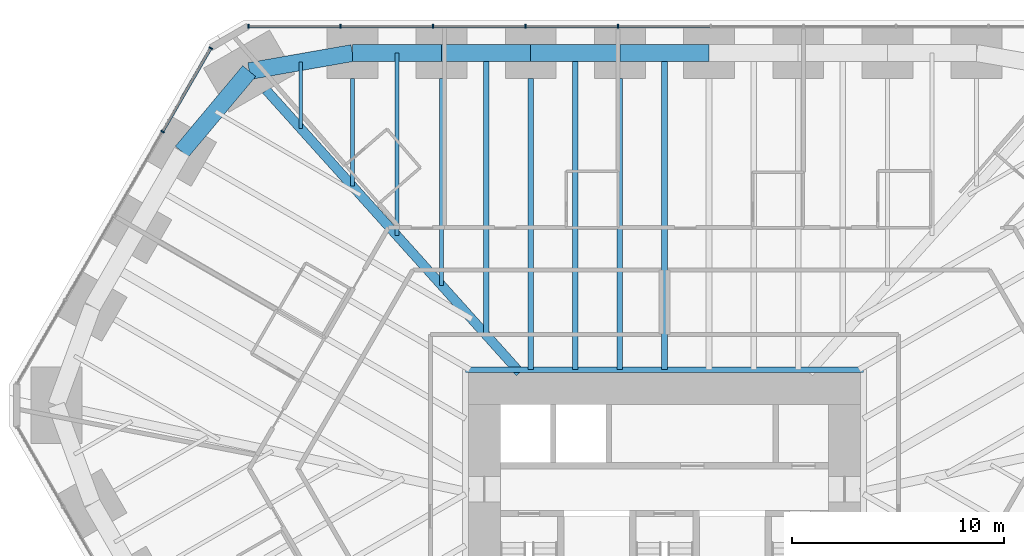
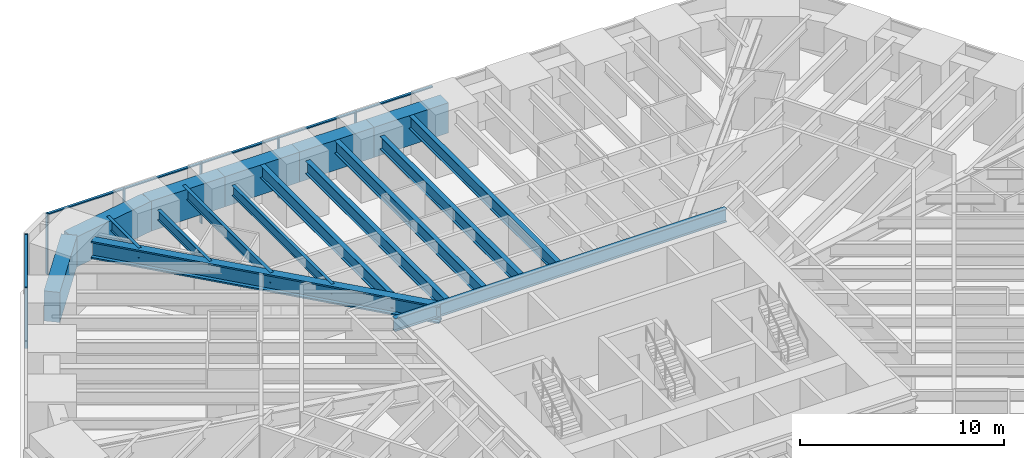
# One storey, part 8 of 17: 17 beams, 13 members, 2 elements without a shape of their own.
"""IFC4 building model written with IfcOpenShell, lengths in metres."""

from ifc_helpers import new_model, si_unit, direction, frame, origin, origin_2d, place, context, subcontext, project, spatial, rectangle, i_section, extrude, material, material_profile, profile_set, type_object, element, aggregate, save


model = new_model("IFC4")

# Units and contexts
model_context = context("Model", 3, precision=1e-05, world=origin(), true_north=direction((0.0, 1.0)))
body_context = subcontext(model_context, "Body", "Model", "MODEL_VIEW")
ifc_project = project(units=[si_unit("LENGTHUNIT", "METRE"), si_unit("AREAUNIT", "SQUARE_METRE"), si_unit("VOLUMEUNIT", "CUBIC_METRE"), si_unit("PLANEANGLEUNIT", "RADIAN"), si_unit("MASSUNIT", "GRAM", prefix="KILO")], contexts=[model_context])

# Site, building, storey
site_placement = place(None, origin())
site = spatial("IfcSite", under=ifc_project, at=site_placement, CompositionType="ELEMENT")
building_placement = place(site_placement, origin())
building = spatial("IfcBuilding", under=site, at=building_placement, Name="Sandreach Pilgrim Tower", CompositionType="ELEMENT")
storey_placement = place(building_placement, frame((0.0, 0.0, 34.39990234375)))
storey = spatial("IfcBuildingStorey", under=building, at=storey_placement, Name="L07", CompositionType="ELEMENT", Elevation=34.39990234375)

# Curtain wall, members
ifc_material_1 = material(Name="Aluminium framed curtain wall", Category="aluminium")
curtain_wall_type = type_object("IfcCurtainWallType", Name="Hostel tower curtain wall", PredefinedType="NOTDEFINED", material=ifc_material_1)
curtain_wall_1_placement = place(storey_placement, origin())
curtain_wall_1 = element("IfcCurtainWall", 1, at=curtain_wall_1_placement, inside=storey, type_object=curtain_wall_type, Name="CW-1 L07 N", PredefinedType="NOTDEFINED")
ifc_material_2 = material(Name="Aluminium extrusion", Category="aluminium")
ifc_material_profile_1 = material_profile(ifc_material_2, rectangle(XDim=0.06494140625, YDim=0.179931640625, at=origin_2d()), Name="CW-1M 65X180")
ifc_profile_set_1 = profile_set([ifc_material_profile_1], Name="Aluminium extrusion")
member_type_1 = type_object("IfcMemberType", Name="CW-1 mullion", PredefinedType="MULLION", material=ifc_profile_set_1)
member_1_placement = place(storey_placement, frame((-19.6396484375, 23.94873046875, 0.0), z_axis=(0.0, 0.0, 1.0), x_axis=(1.0, 0.0, 0.0)))
member_1 = element("IfcMember", 2, at=member_1_placement, type_object=member_type_1, Name="CW-1 mullion 1", PredefinedType="MULLION", context=body_context, shape_type="SweptSolid", body=[
    extrude(rectangle(XDim=0.06494140625, YDim=0.179931640625, at=origin_2d()), origin(), (0.0, 0.0, 1.0), 3.64013671875),
])
member_2_placement = place(storey_placement, frame((-15.300537109375, 23.94873046875, 0.0), z_axis=(0.0, 0.0, 1.0), x_axis=(1.0, 0.0, 0.0)))
member_2 = element("IfcMember", 3, at=member_2_placement, type_object=member_type_1, Name="CW-1 mullion 2", PredefinedType="MULLION", context=body_context, shape_type="SweptSolid", body=[
    extrude(rectangle(XDim=0.06494140625, YDim=0.179931640625, at=origin_2d()), origin(), (0.0, 0.0, 1.0), 3.64013671875),
])
member_3_placement = place(storey_placement, frame((-10.928955078125, 23.94873046875, 0.0), z_axis=(0.0, 0.0, 1.0), x_axis=(1.0, 0.0, 0.0)))
member_3 = element("IfcMember", 4, at=member_3_placement, type_object=member_type_1, Name="CW-1 mullion 3", PredefinedType="MULLION", context=body_context, shape_type="SweptSolid", body=[
    extrude(rectangle(XDim=0.06494140625, YDim=0.179931640625, at=origin_2d()), origin(), (0.0, 0.0, 1.0), 3.64013671875),
])
member_4_placement = place(storey_placement, frame((-6.557373046875, 23.94873046875, 0.0), z_axis=(0.0, 0.0, 1.0), x_axis=(1.0, 0.0, 0.0)))
member_4 = element("IfcMember", 5, at=member_4_placement, type_object=member_type_1, Name="CW-1 mullion 4", PredefinedType="MULLION", context=body_context, shape_type="SweptSolid", body=[
    extrude(rectangle(XDim=0.06494140625, YDim=0.179931640625, at=origin_2d()), origin(), (0.0, 0.0, 1.0), 3.64013671875),
])
member_5_placement = place(storey_placement, frame((-2.185791015625, 23.94873046875, 0.0), z_axis=(0.0, 0.0, 1.0), x_axis=(1.0, 0.0, 0.0)))
member_5 = element("IfcMember", 6, at=member_5_placement, type_object=member_type_1, Name="CW-1 mullion 5", PredefinedType="MULLION", context=body_context, shape_type="SweptSolid", body=[
    extrude(rectangle(XDim=0.06494140625, YDim=0.179931640625, at=origin_2d()), origin(), (0.0, 0.0, 1.0), 3.64013671875),
])

curtain_wall_2_placement = place(storey_placement, origin())
curtain_wall_2 = element("IfcCurtainWall", 7, at=curtain_wall_2_placement, inside=storey, type_object=curtain_wall_type, Name="CW-1 L07 NW", PredefinedType="NOTDEFINED")
member_6_placement = place(storey_placement, frame((-23.697265625, 18.97705078125, 0.0), z_axis=(0.0, 0.0, 1.0), x_axis=(0.5, 0.866025403784, 0.0)))
member_6 = element("IfcMember", 8, at=member_6_placement, type_object=member_type_1, Name="CW-1 mullion 4", PredefinedType="MULLION", context=body_context, shape_type="SweptSolid", body=[
    extrude(rectangle(XDim=0.06494140625, YDim=0.179931640625, at=origin_2d()), origin(), (0.0, 0.0, 1.0), 3.64013671875),
])
member_7_placement = place(storey_placement, frame((-21.42041015625, 22.920654296875, 0.0), z_axis=(0.0, 0.0, 1.0), x_axis=(0.5, 0.866025403784, 0.0)))
member_7 = element("IfcMember", 9, at=member_7_placement, type_object=member_type_1, Name="CW-1 mullion 5", PredefinedType="MULLION", context=body_context, shape_type="SweptSolid", body=[
    extrude(rectangle(XDim=0.06494140625, YDim=0.179931640625, at=origin_2d()), origin(), (0.0, 0.0, 1.0), 3.64013671875),
])

# Member
ifc_material_3 = material(Name="Aluminium extrusion", Category="aluminium")
ifc_material_profile_2 = material_profile(ifc_material_3, rectangle(XDim=0.139892578125, YDim=0.070068359375, at=origin_2d()), Name="CW-1T 140X70")
ifc_profile_set_2 = profile_set([ifc_material_profile_2], Name="Aluminium extrusion")
member_type_2 = type_object("IfcMemberType", Name="CW-1 transom", PredefinedType="USERDEFINED", material=ifc_profile_set_2)
member_8_placement = place(storey_placement, frame((-19.607177734375, 23.94873046875, 3.60498046875), z_axis=(1.0, 0.0, 0.0), x_axis=(0.0, 1.0, 0.0)))
member_8 = element("IfcMember", 10, at=member_8_placement, type_object=member_type_2, Name="CW-1 head transom 1", ObjectType="TRANSOM", PredefinedType="USERDEFINED", context=body_context, shape_type="SweptSolid", body=[
    extrude(rectangle(XDim=0.139892578125, YDim=0.070068359375, at=origin_2d()), origin(), (0.0, 0.0, 1.0), 4.274169921875),
])

member_9_placement = place(storey_placement, frame((-15.26806640625, 23.94873046875, 3.60498046875), z_axis=(1.0, 0.0, 0.0), x_axis=(0.0, 1.0, 0.0)))
member_9 = element("IfcMember", 11, at=member_9_placement, type_object=member_type_2, Name="CW-1 head transom 2", ObjectType="TRANSOM", PredefinedType="USERDEFINED", context=body_context, shape_type="SweptSolid", body=[
    extrude(rectangle(XDim=0.139892578125, YDim=0.070068359375, at=origin_2d()), origin(), (0.0, 0.0, 1.0), 4.306640625),
])

member_10_placement = place(storey_placement, frame((-10.896484375, 23.94873046875, 3.60498046875), z_axis=(1.0, 0.0, 0.0), x_axis=(0.0, 1.0, 0.0)))
member_10 = element("IfcMember", 12, at=member_10_placement, type_object=member_type_2, Name="CW-1 head transom 3", ObjectType="TRANSOM", PredefinedType="USERDEFINED", context=body_context, shape_type="SweptSolid", body=[
    extrude(rectangle(XDim=0.139892578125, YDim=0.070068359375, at=origin_2d()), origin(), (0.0, 0.0, 1.0), 4.306640625),
])

member_11_placement = place(storey_placement, frame((-6.52490234375, 23.94873046875, 3.60498046875), z_axis=(1.0, 0.0, 0.0), x_axis=(0.0, 1.0, 0.0)))
member_11 = element("IfcMember", 13, at=member_11_placement, type_object=member_type_2, Name="CW-1 head transom 4", ObjectType="TRANSOM", PredefinedType="USERDEFINED", context=body_context, shape_type="SweptSolid", body=[
    extrude(rectangle(XDim=0.139892578125, YDim=0.070068359375, at=origin_2d()), origin(), (0.0, 0.0, 1.0), 4.306640625),
])

member_12_placement = place(storey_placement, frame((-2.1533203125, 23.94873046875, 3.60498046875), z_axis=(1.0, 0.0, 0.0), x_axis=(0.0, 1.0, 0.0)))
member_12 = element("IfcMember", 14, at=member_12_placement, type_object=member_type_2, Name="CW-1 head transom 5", ObjectType="TRANSOM", PredefinedType="USERDEFINED", context=body_context, shape_type="SweptSolid", body=[
    extrude(rectangle(XDim=0.139892578125, YDim=0.070068359375, at=origin_2d()), origin(), (0.0, 0.0, 1.0), 4.306640625),
])

aggregate(curtain_wall_1, [member_1, member_2, member_3, member_4, member_5, member_8, member_9, member_10, member_11, member_12])

member_13_placement = place(storey_placement, frame((-23.680908203125, 19.005126953125, 3.60498046875), z_axis=(0.500017500808, 0.866015299452, 0.0), x_axis=(-0.866015299452, 0.500017500808, 0.0)))
member_13 = element("IfcMember", 15, at=member_13_placement, type_object=member_type_2, Name="CW-1 head transom 4", ObjectType="TRANSOM", PredefinedType="USERDEFINED", context=body_context, shape_type="SweptSolid", body=[
    extrude(rectangle(XDim=0.139892578125, YDim=0.070068359375, at=origin_2d()), origin(), (0.0, 0.0, 1.0), 4.488525390625),
])

aggregate(curtain_wall_2, [member_6, member_7, member_13])

# Beams
ifc_material_4 = material(Name="Steel ASTM A992 Grade 50", Category="steel")
ifc_material_profile_3 = material_profile(ifc_material_4, i_section(OverallWidth=0.2666015625, OverallDepth=0.77978515625, WebThickness=0.0166015625, FlangeThickness=0.030029296875, at=origin_2d()), Name="W30X148")
ifc_profile_set_3 = profile_set([ifc_material_profile_3], Name="Steel ASTM A992 Grade 50")
beam_type_1 = type_object("IfcBeamType", Name="Core edge beam W30X148", PredefinedType="BEAM", material=ifc_profile_set_3)
beam_1_placement = place(storey_placement, frame((-9.393310546875, 7.743408203125, 3.250244140625), z_axis=(1.0, 0.0, 0.0), x_axis=(0.0, 1.0, 0.0)))
element("IfcBeam", 16, at=beam_1_placement, inside=storey, type_object=beam_type_1, Name="BM L07 CEN", PredefinedType="BEAM", context=body_context, shape_type="SweptSolid", body=[
    extrude(i_section(OverallWidth=0.2666015625, OverallDepth=0.77978515625, WebThickness=0.0166015625, FlangeThickness=0.030029296875, at=origin_2d()), origin(), (0.0, 0.0, 1.0), 18.78662109375),
])
ifc_material_5 = material(Name="Steel ASTM A992 Grade 50", Category="steel")
ifc_material_profile_4 = material_profile(ifc_material_5, i_section(OverallWidth=0.447021484375, OverallDepth=1.0439453125, WebThickness=0.050048828125, FlangeThickness=0.08984375, at=origin_2d()), Name="W36X652")
ifc_profile_set_4 = profile_set([ifc_material_profile_4], Name="Steel ASTM A992 Grade 50")
beam_type_2 = type_object("IfcBeamType", Name="Corner girder W36X652", PredefinedType="BEAM", material=ifc_profile_set_4)
beam_2_placement = place(storey_placement, frame((-18.8046875, 20.94189453125, 3.1181640625), z_axis=(0.668127834846, -0.74404650144, 0.0), x_axis=(0.74404650144, 0.668127834846, 0.0)))
element("IfcBeam", 17, at=beam_2_placement, inside=storey, type_object=beam_type_2, Name="BM L07 CG39", PredefinedType="BEAM", context=body_context, shape_type="SweptSolid", body=[
    extrude(i_section(OverallWidth=0.447021484375, OverallDepth=1.0439453125, WebThickness=0.050048828125, FlangeThickness=0.08984375, at=origin_2d()), origin(), (0.0, 0.0, 1.0), 17.931396484375),
])
ifc_material_6 = material(Name="Steel ASTM A992 Grade 50", Category="steel")
ifc_material_profile_5 = material_profile(ifc_material_6, i_section(OverallWidth=0.1787109375, OverallDepth=0.60205078125, WebThickness=0.010986328125, FlangeThickness=0.014892578125, at=origin_2d()), Name="W24X62")
ifc_profile_set_5 = profile_set([ifc_material_profile_5], Name="Steel ASTM A992 Grade 50")
beam_type_3 = type_object("IfcBeamType", Name="Floor beam W24X62", PredefinedType="BEAM", material=ifc_profile_set_5)
beam_3_placement = place(storey_placement, frame((-14.734619140625, 21.48876953125, 3.339111328125), z_axis=(0.0, -1.0, 0.0), x_axis=(1.0, 0.0, 0.0)))
element("IfcBeam", 18, at=beam_3_placement, inside=storey, type_object=beam_type_3, Name="BM L07 F01", PredefinedType="BEAM", context=body_context, shape_type="SweptSolid", body=[
    extrude(i_section(OverallWidth=0.1787109375, OverallDepth=0.60205078125, WebThickness=0.010986328125, FlangeThickness=0.014892578125, at=origin_2d()), origin(), (0.0, 0.0, 1.0), 5.079345703125),
])
beam_4_placement = place(storey_placement, frame((-10.52490234375, 21.48876953125, 3.339111328125), z_axis=(0.0, -1.0, 0.0), x_axis=(1.0, 0.0, 0.0)))
element("IfcBeam", 19, at=beam_4_placement, inside=storey, type_object=beam_type_3, Name="BM L07 F02", PredefinedType="BEAM", context=body_context, shape_type="SweptSolid", body=[
    extrude(i_section(OverallWidth=0.1787109375, OverallDepth=0.60205078125, WebThickness=0.010986328125, FlangeThickness=0.014892578125, at=origin_2d()), origin(), (0.0, 0.0, 1.0), 9.767822265625),
])
beam_5_placement = place(storey_placement, frame((-12.629638671875, 22.688720703125, 3.339111328125), z_axis=(0.0, -1.0, 0.0), x_axis=(1.0, 0.0, 0.0)))
element("IfcBeam", 20, at=beam_5_placement, inside=storey, type_object=beam_type_3, Name="BM L07 FM01", PredefinedType="BEAM", context=body_context, shape_type="SweptSolid", body=[
    extrude(i_section(OverallWidth=0.1787109375, OverallDepth=0.60205078125, WebThickness=0.010986328125, FlangeThickness=0.014892578125, at=origin_2d()), origin(), (0.0, 0.0, 1.0), 8.62353515625),
])
beam_6_placement = place(storey_placement, frame((-17.17041015625, 22.26171875, 3.339111328125), z_axis=(0.0, -1.0, 0.0), x_axis=(1.0, 0.0, 0.0)))
element("IfcBeam", 21, at=beam_6_placement, inside=storey, type_object=beam_type_3, Name="BM L07 FM39", PredefinedType="BEAM", context=body_context, shape_type="SweptSolid", body=[
    extrude(i_section(OverallWidth=0.1787109375, OverallDepth=0.60205078125, WebThickness=0.010986328125, FlangeThickness=0.014892578125, at=origin_2d()), origin(), (0.0, 0.0, 1.0), 3.1396484375),
])
ifc_material_7 = material(Name="Steel ASTM A992 Grade 50", Category="steel")
ifc_material_profile_6 = material_profile(ifc_material_7, i_section(OverallWidth=0.2666015625, OverallDepth=0.761962890625, WebThickness=0.014404296875, FlangeThickness=0.021484375, at=origin_2d()), Name="W30X116")
ifc_profile_set_6 = profile_set([ifc_material_profile_6], Name="Steel ASTM A992 Grade 50")
beam_type_4 = type_object("IfcBeamType", Name="Floor beam W30X116", PredefinedType="BEAM", material=ifc_profile_set_6)
for number, where, z_axis, x_axis, name in (
    (22, (-6.31494140625, 21.48876953125, 3.259033203125), (0.0, -1.0, 0.0), (1.0, 0.0, 0.0), "BM L07 F03"),
    (23, (-2.10498046875, 21.48876953125, 3.259033203125), (0.0, -1.0, 0.0), (1.0, 0.0, 0.0), "BM L07 F04"),
):
    element("IfcBeam", number, at=place(storey_placement, frame(where, z_axis=z_axis, x_axis=x_axis)), inside=storey, type_object=beam_type_4, Name=name, PredefinedType="BEAM", context=body_context, shape_type="SweptSolid", body=[
        extrude(i_section(OverallWidth=0.2666015625, OverallDepth=0.761962890625, WebThickness=0.014404296875, FlangeThickness=0.021484375, at=origin_2d()), origin(), (0.0, 0.0, 1.0), 13.745361328125),
    ])
beam_7_placement = place(storey_placement, frame((-8.419921875, 22.688720703125, 3.259033203125), z_axis=(0.0, -1.0, 0.0), x_axis=(1.0, 0.0, 0.0)))
element("IfcBeam", 24, at=beam_7_placement, inside=storey, type_object=beam_type_4, Name="BM L07 FM02", PredefinedType="BEAM", context=body_context, shape_type="SweptSolid", body=[
    extrude(i_section(OverallWidth=0.2666015625, OverallDepth=0.761962890625, WebThickness=0.014404296875, FlangeThickness=0.021484375, at=origin_2d()), origin(), (0.0, 0.0, 1.0), 13.311767578125),
])
for number, where, z_axis, x_axis, name in (
    (25, (-4.2099609375, 22.688720703125, 3.259033203125), (0.0, -1.0, 0.0), (1.0, 0.0, 0.0), "BM L07 FM03"),
    (26, (0.0, 22.688720703125, 3.259033203125), (0.0, -1.0, 0.0), (1.0, 0.0, 0.0), "BM L07 FM04"),
):
    element("IfcBeam", number, at=place(storey_placement, frame(where, z_axis=z_axis, x_axis=x_axis)), inside=storey, type_object=beam_type_4, Name=name, PredefinedType="BEAM", context=body_context, shape_type="SweptSolid", body=[
        extrude(i_section(OverallWidth=0.2666015625, OverallDepth=0.761962890625, WebThickness=0.014404296875, FlangeThickness=0.021484375, at=origin_2d()), origin(), (0.0, 0.0, 1.0), 14.9453125),
    ])
ifc_material_8 = material(Name="Concrete 10000 psi", Category="concrete")
ifc_material_profile_7 = material_profile(ifc_material_8, rectangle(XDim=0.800048828125, YDim=1.800048828125, at=origin_2d()), Name="RC800X1800")
ifc_profile_set_7 = profile_set([ifc_material_profile_7], Name="Concrete 10000 psi")
beam_type_5 = type_object("IfcBeamType", Name="Spandrel beam RC800X1800", PredefinedType="SPANDREL", material=ifc_profile_set_7)
beam_8_placement = place(storey_placement, frame((-14.734619140625, 22.688720703125, 2.739990234375), z_axis=(1.0, 0.0, 0.0), x_axis=(0.0, 1.0, 0.0)))
element("IfcBeam", 27, at=beam_8_placement, inside=storey, type_object=beam_type_5, Name="BM L07 SP01", PredefinedType="SPANDREL", context=body_context, shape_type="SweptSolid", body=[
    extrude(rectangle(XDim=0.800048828125, YDim=1.800048828125, at=origin_2d()), origin(), (0.0, 0.0, 1.0), 4.209716796875),
])
for number, where, z_axis, x_axis, name in (
    (28, (-10.52490234375, 22.688720703125, 2.739990234375), (1.0, 0.0, 0.0), (0.0, 1.0, 0.0), "BM L07 SP02"),
    (29, (-6.31494140625, 22.688720703125, 2.739990234375), (1.0, 0.0, 0.0), (0.0, 1.0, 0.0), "BM L07 SP03"),
    (30, (-2.10498046875, 22.688720703125, 2.739990234375), (1.0, 0.0, 0.0), (0.0, 1.0, 0.0), "BM L07 SP04"),
):
    element("IfcBeam", number, at=place(storey_placement, frame(where, z_axis=z_axis, x_axis=x_axis)), inside=storey, type_object=beam_type_5, Name=name, PredefinedType="SPANDREL", context=body_context, shape_type="SweptSolid", body=[
        extrude(rectangle(XDim=0.800048828125, YDim=1.800048828125, at=origin_2d()), origin(), (0.0, 0.0, 1.0), 4.2099609375),
    ])
beam_9_placement = place(storey_placement, frame((-22.787841796875, 18.031982421875, 2.739990234375), z_axis=(0.641665295114, 0.766984777584, 0.0), x_axis=(-0.766984777584, 0.641665295114, 0.0)))
element("IfcBeam", 31, at=beam_9_placement, inside=storey, type_object=beam_type_5, Name="BM L07 SP38", PredefinedType="SPANDREL", context=body_context, shape_type="SweptSolid", body=[
    extrude(rectangle(XDim=0.800048828125, YDim=1.800048828125, at=origin_2d()), origin(), (0.0, 0.0, 1.0), 4.9580078125),
])
beam_10_placement = place(storey_placement, frame((-19.6064453125, 21.834716796875, 2.739990234375), z_axis=(0.984981186582, 0.172661698355, 0.0), x_axis=(-0.172661698355, 0.984981186582, 0.0)))
element("IfcBeam", 32, at=beam_10_placement, inside=storey, type_object=beam_type_5, Name="BM L07 SP39", PredefinedType="SPANDREL", context=body_context, shape_type="SweptSolid", body=[
    extrude(rectangle(XDim=0.800048828125, YDim=1.800048828125, at=origin_2d()), origin(), (0.0, 0.0, 1.0), 4.946044921875),
])

save(model, "model.ifc")
